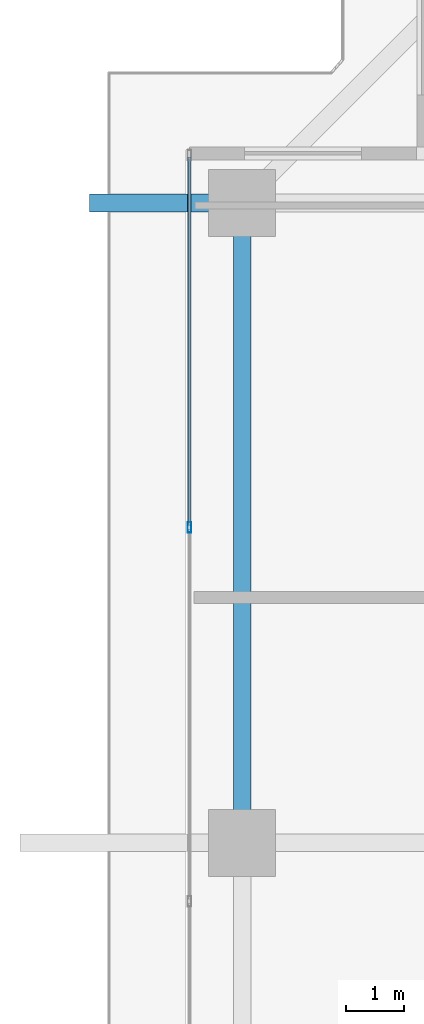
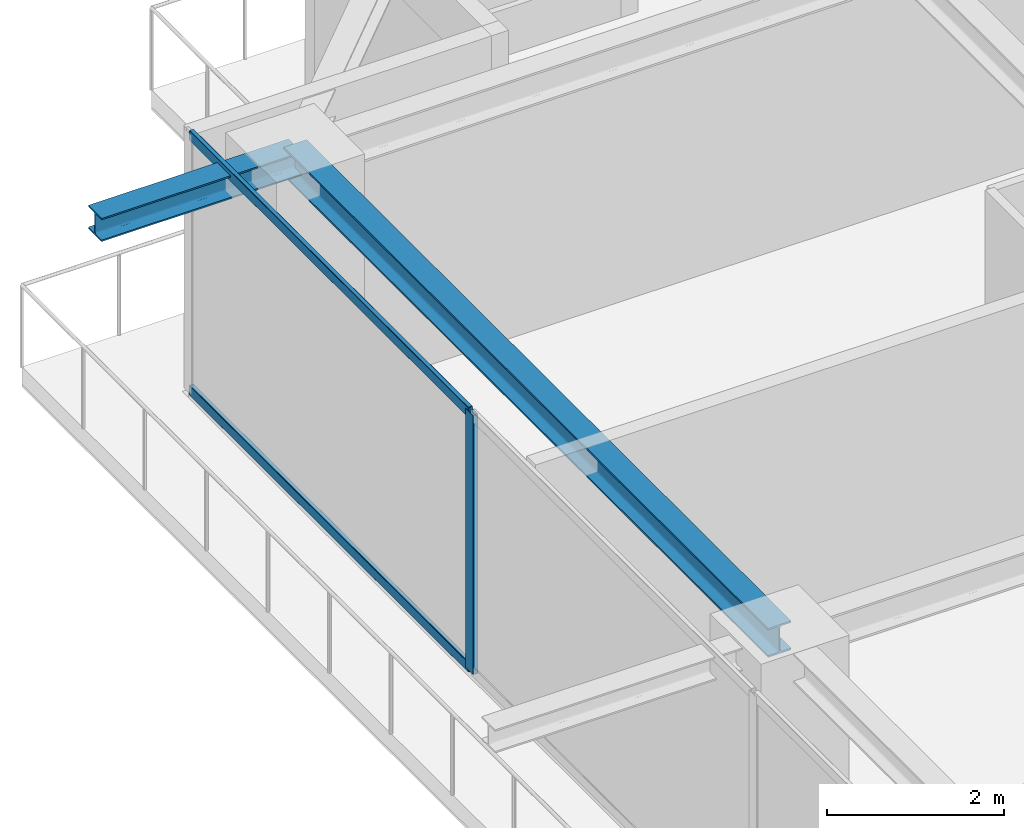
# One storey, part 16 of 38: 3 members, 2 beams, 1 element without a shape of its own.
"""IFC4 building model written with IfcOpenShell, lengths in metres."""

from ifc_helpers import new_model, si_unit, direction, frame, origin, origin_2d, place, context, subcontext, project, spatial, hollow_rectangle, i_section, extrude, source, transform, mapped, material, layer, layer_set, material_profile, profile_set, type_object, element, aggregate, save


model = new_model("IFC4")

# Units and contexts
model_context = context("Model", 3, precision=1e-05, world=origin(), true_north=direction((0.0, 1.0)))
body_context = subcontext(model_context, "Body", "Model", "MODEL_VIEW")
ifc_project = project(units=[si_unit("LENGTHUNIT", "METRE"), si_unit("AREAUNIT", "SQUARE_METRE"), si_unit("VOLUMEUNIT", "CUBIC_METRE"), si_unit("PLANEANGLEUNIT", "RADIAN"), si_unit("MASSUNIT", "GRAM", prefix="KILO")], contexts=[model_context])

# Site, building, storey
site_placement = place(None, origin())
site = spatial("IfcSite", under=ifc_project, at=site_placement, CompositionType="ELEMENT")
building_placement = place(site_placement, origin())
building = spatial("IfcBuilding", under=site, at=building_placement, Name="Serunith Strait Residences", CompositionType="ELEMENT")
storey_placement = place(building_placement, frame((0.0, 0.0, 264.35009765625)))
storey = spatial("IfcBuildingStorey", under=building, at=storey_placement, Name="L66", CompositionType="ELEMENT", Elevation=264.35009765625)

# Beams
ifc_material_1 = material(Name="Steel S355J2", Category="steel")
ifc_material_profile_1 = material_profile(ifc_material_1, i_section(OverallWidth=0.300048828125, OverallDepth=0.39990234375, WebThickness=0.013427734375, FlangeThickness=0.02392578125, FilletRadius=0.027099609375, at=origin_2d()), Name="HEB 400")
ifc_profile_set_1 = profile_set([ifc_material_profile_1], Name="Steel S355J2")
beam_type_1 = type_object("IfcBeamType", Name="BM-HEB400", PredefinedType="BEAM", material=ifc_profile_set_1)
shared_shape_1 = source(origin(), body_context, "Body", "SweptSolid", [
    extrude(i_section(OverallWidth=0.300048828125, OverallDepth=0.39990234375, WebThickness=0.013427734375, FlangeThickness=0.02392578125, FilletRadius=0.027099609375, at=origin_2d()), origin(), (0.0, 0.0, 1.0), 10.9501953125),
])
beam_1_placement = place(storey_placement, frame((8.300048828125, 40.35009765625, 3.386962890625), z_axis=(0.0, -1.0, 0.0), x_axis=(1.0, 0.0, 0.0)))
element("IfcBeam", 1, at=beam_1_placement, inside=storey, type_object=beam_type_1, Name="L66 Perimeter Ring Beam 13", PredefinedType="BEAM", context=body_context, shape_type="MappedRepresentation", body=[
    mapped(shared_shape_1, transform((0.0, 0.0, 0.0), scale=1.0)),
])
ifc_material_profile_2 = material_profile(ifc_material_1, i_section(OverallWidth=0.300048828125, OverallDepth=0.320068359375, WebThickness=0.011474609375, FlangeThickness=0.0205078125, FilletRadius=0.027099609375, at=origin_2d()), Name="HEB 320")
ifc_profile_set_2 = profile_set([ifc_material_profile_2], Name="Steel S355J2")
beam_type_2 = type_object("IfcBeamType", Name="BM-HEB320", PredefinedType="BEAM", material=ifc_profile_set_2)
shared_shape_2 = source(origin(), body_context, "Body", "SweptSolid", [
    extrude(i_section(OverallWidth=0.300048828125, OverallDepth=0.320068359375, WebThickness=0.011474609375, FlangeThickness=0.0205078125, FilletRadius=0.027099609375, at=origin_2d()), origin(), (0.0, 0.0, 1.0), 2.613525390625),
])
beam_2_placement = place(storey_placement, frame((8.300048828125, 40.35009765625, 3.39697265625), z_axis=(-1.0, 0.0, 0.0), x_axis=(0.0, -1.0, 0.0)))
element("IfcBeam", 2, at=beam_2_placement, inside=storey, type_object=beam_type_2, Name="L67 Cantilevered Balcony Rib TC-W4", PredefinedType="BEAM", context=body_context, shape_type="MappedRepresentation", body=[
    mapped(shared_shape_2, transform((0.0, 0.0, 0.0), scale=1.0)),
])

# Curtain wall, members
ifc_material_2 = material(Name="Pale-Champagne Anodised Aluminium", Category="aluminium")
ifc_layer = layer(ifc_material_2, 0.199951171875, Name="Pale-Champagne Anodised Aluminium")
ifc_layer_set = layer_set([ifc_layer], Name="Pale-Champagne Anodised Aluminium")
curtain_wall_type = type_object("IfcCurtainWallType", Name="CW-SYS4", PredefinedType="NOTDEFINED", material=ifc_layer_set)
curtain_wall_placement = place(storey_placement, origin())
curtain_wall = element("IfcCurtainWall", 3, at=curtain_wall_placement, inside=storey, type_object=curtain_wall_type, Name="L66 W Unitised Fritted Curtain Wall", PredefinedType="NOTDEFINED")
ifc_material_profile_3 = material_profile(ifc_material_2, hollow_rectangle(XDim=0.06494140625, YDim=0.179931640625, WallThickness=0.00341796875, InnerFilletRadius=0.00537109375, OuterFilletRadius=0.0087890625, at=origin_2d()), Name="ALU 180x65x3.5")
ifc_profile_set_3 = profile_set([ifc_material_profile_3], Name="Pale-Champagne Anodised Aluminium")
member_type_1 = type_object("IfcMemberType", Name="CW-SYS4-MULL", PredefinedType="MULLION", material=ifc_profile_set_3)
shared_shape_3 = source(origin(), body_context, "Body", "SweptSolid", [
    extrude(hollow_rectangle(XDim=0.06494140625, YDim=0.179931640625, WallThickness=0.00341796875, InnerFilletRadius=0.00537109375, OuterFilletRadius=0.0087890625, at=origin_2d()), origin(), (0.0, 0.0, 1.0), 3.574951171875),
])
member_1_placement = place(storey_placement, frame((7.39990234375, 34.800048828125, 0.0), z_axis=(0.0, 0.0, 1.0), x_axis=(1.0, 0.0, 0.0)))
member_1 = element("IfcMember", 4, at=member_1_placement, type_object=member_type_1, Name="CW-4 mullion 2", PredefinedType="MULLION", context=body_context, shape_type="MappedRepresentation", body=[
    mapped(shared_shape_3, transform((0.0, 0.0, 0.0), scale=1.0)),
])
ifc_material_profile_4 = material_profile(ifc_material_2, hollow_rectangle(XDim=0.06005859375, YDim=0.139892578125, WallThickness=0.00341796875, InnerFilletRadius=0.00537109375, OuterFilletRadius=0.0087890625, at=origin_2d()), Name="ALU 140x60x3.5")
ifc_profile_set_4 = profile_set([ifc_material_profile_4], Name="Pale-Champagne Anodised Aluminium")
member_type_2 = type_object("IfcMemberType", Name="CW-SYS4-TRAN", PredefinedType="USERDEFINED", material=ifc_profile_set_4)
shared_shape_4 = source(origin(), body_context, "Body", "SweptSolid", [
    extrude(hollow_rectangle(XDim=0.06005859375, YDim=0.139892578125, WallThickness=0.00341796875, InnerFilletRadius=0.00537109375, OuterFilletRadius=0.0087890625, at=origin_2d()), origin(), (0.0, 0.0, 1.0), 6.302490234375),
])
member_2_placement = place(storey_placement, frame((7.39990234375, 41.135009765625, 0.02978515625), z_axis=(0.0, -1.0, 0.0), x_axis=(1.0, 0.0, 0.0)))
member_2 = element("IfcMember", 5, at=member_2_placement, type_object=member_type_2, Name="CW-4 transom 1.1", ObjectType="TRANSOM", PredefinedType="USERDEFINED", context=body_context, shape_type="MappedRepresentation", body=[
    mapped(shared_shape_4, transform((0.0, 0.0, 0.0), scale=1.0)),
])
member_3_placement = place(storey_placement, frame((7.39990234375, 41.135009765625, 3.544921875), z_axis=(0.0, -1.0, 0.0), x_axis=(1.0, 0.0, 0.0)))
member_3 = element("IfcMember", 6, at=member_3_placement, type_object=member_type_2, Name="CW-4 transom 1.2", ObjectType="TRANSOM", PredefinedType="USERDEFINED", context=body_context, shape_type="MappedRepresentation", body=[
    mapped(shared_shape_4, transform((0.0, 0.0, 0.0), scale=1.0)),
])
aggregate(curtain_wall, [member_1, member_2, member_3])

save(model, "model.ifc")
